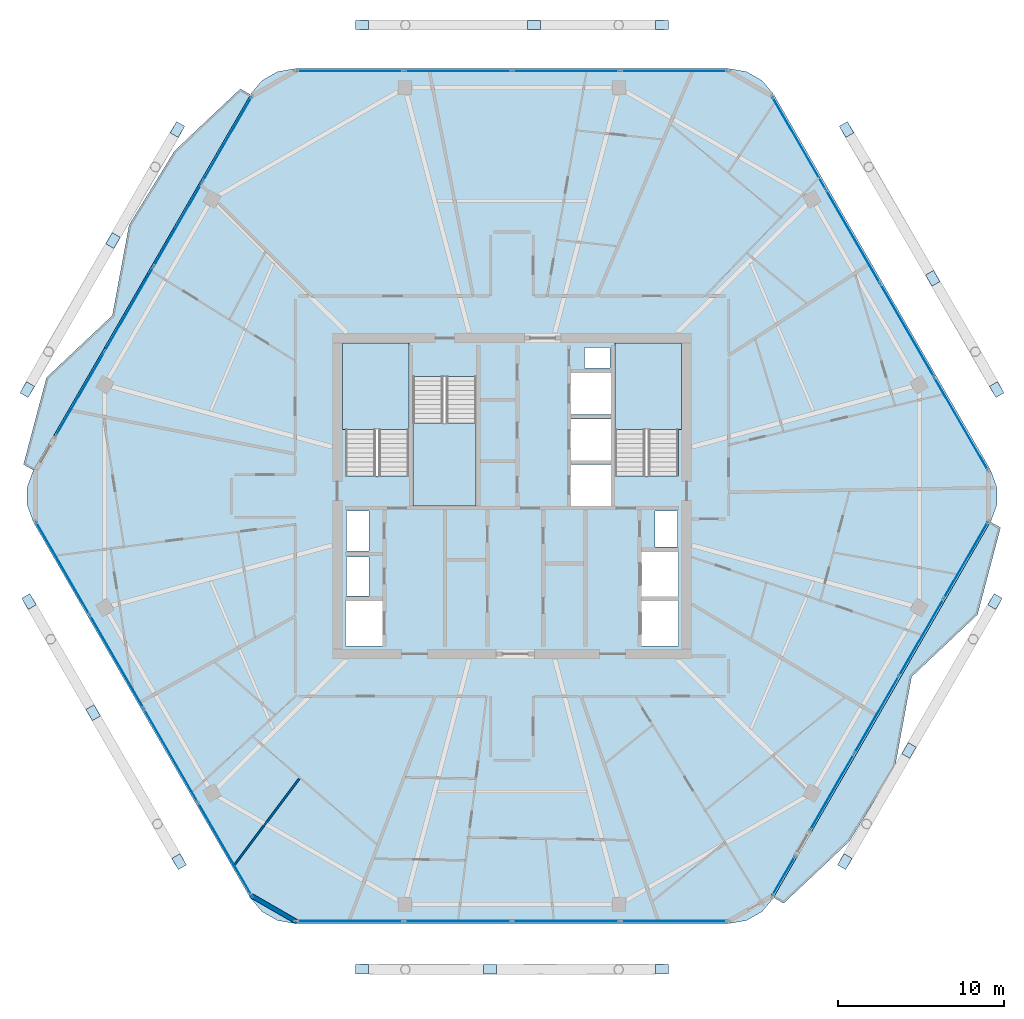
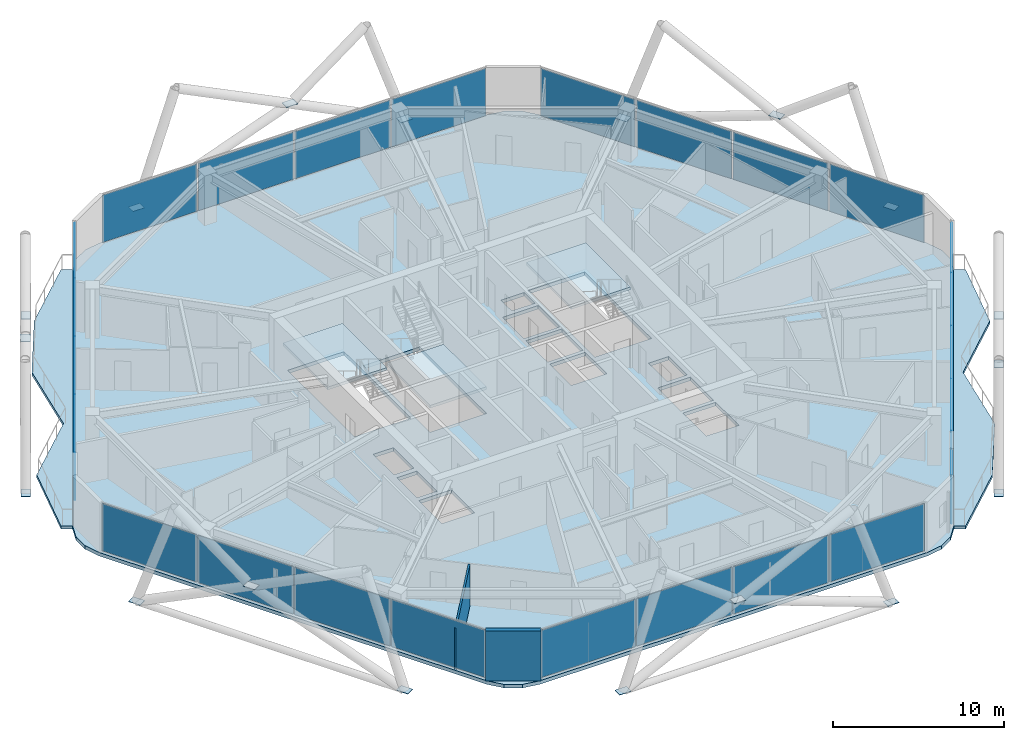
# One storey, part 19 of 29: 43 plates, 6 slabs, 2 walls, 10 elements without a shape of their own.
"""IFC4 building model written with IfcOpenShell, lengths in metres."""

import ifcopenshell
import ifcopenshell.guid

model = None  # the IFC model being written
_history = None  # IfcOwnerHistory: only IFC2X3 demands one
_inside = {}  # id of a spatial element -> (the spatial element, [elements in it])
_under = {}  # id of a project, library or spatial element -> (it, [spatial elements below it])
_declared = {}  # id of a project -> (the project, [libraries it declares])
_typed = {}  # id of a type object -> (the type object, [elements of that type])
_made_of = {}  # id of a material, layer set ... -> (it, [elements and type objects made of it])


def new_model(schema):
    """Start an empty IFC model of exactly this schema.

    Asked for "IFC4X3", IfcOpenShell would pick the latest addendum, in which some entities
    have other attributes; the version numbers below select the first issue.
    IFC2X3 requires an IfcOwnerHistory on every rooted entity: one is made here for all.
    """
    global model, _history
    if schema == "IFC4X3":
        model = ifcopenshell.file(schema_version=(4, 3, 0, 0))
    else:
        model = ifcopenshell.file(schema=schema)
    _inside.clear()
    _under.clear()
    _declared.clear()
    _typed.clear()
    _made_of.clear()
    _history = None
    if model.schema == "IFC2X3":
        org = make("IfcOrganization", Name="unknown")
        user = make(
            "IfcPersonAndOrganization",
            ThePerson=make("IfcPerson", FamilyName="unknown"),
            TheOrganization=org,
        )
        app = make(
            "IfcApplication",
            ApplicationDeveloper=org,
            Version="unknown",
            ApplicationFullName="unknown",
            ApplicationIdentifier="unknown",
        )
        _history = make(
            "IfcOwnerHistory",
            OwningUser=user,
            OwningApplication=app,
            ChangeAction="ADDED",
            CreationDate=0,
        )
    return model


def make(cls, **values):
    """One entity of the class cls with the attributes given. An attribute that is None is left unset."""
    return model.create_entity(
        cls, **{name: value for name, value in values.items() if value is not None}
    )


def rooted(cls, **values):
    """An entity with a GlobalId (a new one), such as an element, a storey or a relation."""
    return make(cls, GlobalId=ifcopenshell.guid.new(), OwnerHistory=_history, **values)


def si_unit(unit_type, name, prefix=None):
    """IfcSIUnit, for example si_unit("LENGTHUNIT", "METRE", prefix="MILLI")."""
    return make("IfcSIUnit", UnitType=unit_type, Prefix=prefix, Name=name)


def assignment(units):
    """IfcUnitAssignment: the units of a project."""
    return None if units is None else make("IfcUnitAssignment", Units=units)


def point(xyz):
    """IfcCartesianPoint."""
    return None if xyz is None else make("IfcCartesianPoint", Coordinates=xyz)


def direction(xyz):
    """IfcDirection."""
    return None if xyz is None else make("IfcDirection", DirectionRatios=xyz)


def frame(location, z_axis=None, x_axis=None):
    """IfcAxis2Placement3D, a coordinate frame: its origin and axes. An axis left out is left unset."""
    return make(
        "IfcAxis2Placement3D",
        Location=point(location),
        Axis=direction(z_axis),
        RefDirection=direction(x_axis),
    )


def frame_2d(location, x_axis=None):
    """IfcAxis2Placement2D, a coordinate frame in the plane: its origin and x axis."""
    return make(
        "IfcAxis2Placement2D", Location=point(location), RefDirection=direction(x_axis)
    )


def origin():
    """The frame at (0, 0, 0) with its axes left unset."""
    return frame((0.0, 0.0, 0.0))


def origin_2d():
    """The frame at (0, 0) in the plane with its x axis left unset."""
    return frame_2d((0.0, 0.0))


def place(relative_to, where):
    """IfcLocalPlacement: puts the frame where relative to a parent placement (None: the world)."""
    return make(
        "IfcLocalPlacement", PlacementRelTo=relative_to, RelativePlacement=where
    )


def context(
    kind, dimensions, precision=None, world=None, true_north=None, identifier=None
):
    """IfcGeometricRepresentationContext, for example the 3D "Model" context."""
    return make(
        "IfcGeometricRepresentationContext",
        ContextIdentifier=identifier,
        ContextType=kind,
        CoordinateSpaceDimension=dimensions,
        Precision=precision,
        WorldCoordinateSystem=world,
        TrueNorth=true_north,
    )


def subcontext(parent, identifier, kind, view, scale=None):
    """IfcGeometricRepresentationSubContext, for example "Body" below "Model"."""
    return make(
        "IfcGeometricRepresentationSubContext",
        ContextIdentifier=identifier,
        ContextType=kind,
        ParentContext=parent,
        TargetScale=scale,
        TargetView=view,
    )


def project(units=None, contexts=None):
    """IfcProject with its units and contexts."""
    return rooted(
        "IfcProject",
        Name="project",
        RepresentationContexts=contexts,
        UnitsInContext=assignment(units),
    )


def spatial(cls, under=None, at=None, **own):
    """A site, building, storey or space (cls), placed at a placement, below another one or the project."""
    s = rooted(cls, ObjectPlacement=at, **own)
    if under is not None:
        _under.setdefault(under.id(), (under, []))[1].append(s)
    return s


def polyline(points):
    """IfcPolyline through the points."""
    return make("IfcPolyline", Points=[point(p) for p in points])


def profile(cls, at=None, kind="AREA", **sizes):
    """A parametric profile (cls). Its sizes go by their IFC names, for example OverallWidth=200.0."""
    return make(cls, ProfileType=kind, Position=at, **sizes)


def rectangle(**sizes):
    """IfcRectangleProfileDef."""
    return profile("IfcRectangleProfileDef", **sizes)


def outline(outer, holes=None, kind="AREA"):
    """IfcArbitraryClosedProfileDef: a profile drawn as a closed curve; with holes, ...WithVoids."""
    if holes is None:
        return make("IfcArbitraryClosedProfileDef", ProfileType=kind, OuterCurve=outer)
    return make(
        "IfcArbitraryProfileDefWithVoids",
        ProfileType=kind,
        OuterCurve=outer,
        InnerCurves=holes,
    )


def extrude(swept, where, along, depth):
    """IfcExtrudedAreaSolid: the profile swept, set in the frame where, extruded along a direction by depth."""
    return make(
        "IfcExtrudedAreaSolid",
        SweptArea=swept,
        Position=where,
        ExtrudedDirection=direction(along),
        Depth=depth,
    )


def shape(context_of_items, identifier, shape_type, items):
    """IfcShapeRepresentation: the items that make up one representation, for example the "Body"."""
    return make(
        "IfcShapeRepresentation",
        ContextOfItems=context_of_items,
        RepresentationIdentifier=identifier,
        RepresentationType=shape_type,
        Items=items,
    )


def material(Name=None, Category=None):
    """IfcMaterial."""
    return make("IfcMaterial", Name=Name, Category=Category)


def layer(
    of_material, thickness, ventilated=None, Name=None, Category=None, Priority=None
):
    """IfcMaterialLayer: one layer of a wall or slab, of a material (None: an air gap)."""
    return make(
        "IfcMaterialLayer",
        Material=of_material,
        LayerThickness=thickness,
        IsVentilated=ventilated,
        Name=Name,
        Category=Category,
        Priority=Priority,
    )


def layer_set(layers, Name=None):
    """IfcMaterialLayerSet."""
    return make("IfcMaterialLayerSet", MaterialLayers=layers, LayerSetName=Name)


def made_of(thing, what):
    """Note that an element or type object is made of a material, layer set ...; save() writes the relation."""
    if what is not None:
        _made_of.setdefault(what.id(), (what, []))[1].append(thing)
    return thing


def type_object(cls, material=None, **own):
    """A type object (cls), such as IfcWallType, which elements share."""
    return made_of(rooted(cls, **own), material)


def element(
    cls,
    number,
    at=None,
    inside=None,
    cuts=None,
    type_object=None,
    material=None,
    context=None,
    identifier="Body",
    shape_type=None,
    held_by="IfcProductDefinitionShape",
    body=None,
    shapes=None,
    **own,
):
    """One element of the class cls, such as IfcWall. Its Tag is "e" and its number.

    at: its placement. inside: the storey or other place that contains it. cuts: it is an
    opening in that element (IfcRelVoidsElement). A single representation is given by context,
    identifier, shape_type and body (its items); several are given by shapes. held_by: the class
    of the entity that holds the representations. save() writes the other relations.
    """
    e = rooted(cls, Tag="e%d" % number, ObjectPlacement=at, **own)
    if body is not None:
        shapes = [shape(context, identifier, shape_type, body)]
    if shapes is not None:
        e.Representation = make(held_by, Representations=shapes)
    if inside is not None:
        _inside.setdefault(inside.id(), (inside, []))[1].append(e)
    if cuts is not None:
        rooted(
            "IfcRelVoidsElement", RelatingBuildingElement=cuts, RelatedOpeningElement=e
        )
    if type_object is not None:
        _typed.setdefault(type_object.id(), (type_object, []))[1].append(e)
    return made_of(e, material)


def aggregate(whole, parts):
    """IfcRelAggregates: a whole, such as a stair, and the parts it consists of."""
    return rooted("IfcRelAggregates", RelatingObject=whole, RelatedObjects=parts)


def save(model, path):
    """Write the relations noted so far, then the file.

    IfcRelAggregates (storeys below a building ...), IfcRelContainedInSpatialStructure (elements
    in a storey), IfcRelDefinesByType, IfcRelAssociatesMaterial and IfcRelDeclares: one each for
    every whole, place, type object, material and project.
    """
    for whole, parts in _under.values():
        aggregate(whole, parts)
    for where, things in _inside.values():
        rooted(
            "IfcRelContainedInSpatialStructure",
            RelatedElements=things,
            RelatingStructure=where,
        )
    for kind, things in _typed.values():
        rooted("IfcRelDefinesByType", RelatedObjects=things, RelatingType=kind)
    for what, things in _made_of.values():
        rooted("IfcRelAssociatesMaterial", RelatedObjects=things, RelatingMaterial=what)
    for by, libraries in _declared.values():
        rooted("IfcRelDeclares", RelatingContext=by, RelatedDefinitions=libraries)
    model.write(path)


model = new_model("IFC4")

# Units and contexts
model_context = context("Model", 3, precision=1e-05, world=origin(), true_north=direction((0.0, 1.0)))
body_context = subcontext(model_context, "Body", "Model", "MODEL_VIEW")
ifc_project = project(units=[si_unit("LENGTHUNIT", "METRE"), si_unit("AREAUNIT", "SQUARE_METRE"), si_unit("VOLUMEUNIT", "CUBIC_METRE"), si_unit("PLANEANGLEUNIT", "RADIAN"), si_unit("MASSUNIT", "GRAM", prefix="KILO")], contexts=[model_context])

# Site, building, storey
site_placement = place(None, origin())
site = spatial("IfcSite", under=ifc_project, at=site_placement, CompositionType="ELEMENT")
building_placement = place(site_placement, origin())
building = spatial("IfcBuilding", under=site, at=building_placement, Name="Zuhravey Tower", CompositionType="ELEMENT")
storey_placement = place(building_placement, frame((0.0, 0.0, 292.0)))
storey = spatial("IfcBuildingStorey", under=building, at=storey_placement, Name="L74", CompositionType="ELEMENT", Elevation=292.0)

# Plates
ifc_material_1 = material(Name="Steel SM460", Category="steel")
ifc_layer_1 = layer(ifc_material_1, 0.031982421875)
ifc_layer_set_1 = layer_set([ifc_layer_1], Name="Steel SM460")
plate_type_1 = type_object("IfcPlateType", Name="Exoskeleton Zone 3 Node Plate ND3", PredefinedType="SHEET", material=ifc_layer_set_1)
for number, where, z_axis, x_axis, name in (
    (1, (65.1474609375, 38.402587890625, -0.47998046875), (0.0, 0.0, 1.0), (-0.5, 0.866025403784, 0.0), "L74 Exoskeleton Node Gusset L74-01"),
    (2, (56.118408203125, 54.041015625, -0.47998046875), (0.0, 0.0, 1.0), (-0.5, 0.866025403784, 0.0), "L74 Exoskeleton Node Gusset L74-02"),
    (3, (45.029052734375, 60.323486328125, -0.47998046875), (0.0, 0.0, 1.0), (-1.0, 0.0, 0.0), "L74 Exoskeleton Node Gusset L74-03"),
    (4, (26.970947265625, 60.323486328125, -0.47998046875), (0.0, 0.0, 1.0), (-1.0, 0.0, 0.0), "L74 Exoskeleton Node Gusset L74-04"),
    (5, (15.881591796875, 54.041015625, -0.47998046875), (0.0, 0.0, 1.0), (-0.5, -0.866025403784, 0.0), "L74 Exoskeleton Node Gusset L74-05"),
    (6, (6.8525390625, 38.402587890625, -0.47998046875), (0.0, 0.0, 1.0), (-0.5, -0.866025403784, 0.0), "L74 Exoskeleton Node Gusset L74-06"),
    (7, (6.95654296875, 25.657470703125, -0.47998046875), (0.0, 0.0, 1.0), (0.5, -0.866025403784, 0.0), "L74 Exoskeleton Node Gusset L74-07"),
    (8, (15.985595703125, 10.018798828125, -0.47998046875), (0.0, 0.0, 1.0), (0.5, -0.866025403784, 0.0), "L74 Exoskeleton Node Gusset L74-08"),
    (9, (26.970947265625, 3.556396484375, -0.47998046875), (0.0, 0.0, 1.0), (1.0, 0.0, 0.0), "L74 Exoskeleton Node Gusset L74-09"),
    (10, (45.029052734375, 3.556396484375, -0.47998046875), (0.0, 0.0, 1.0), (1.0, 0.0, 0.0), "L74 Exoskeleton Node Gusset L74-10"),
    (11, (56.014404296875, 10.018798828125, -0.47998046875), (0.0, 0.0, 1.0), (0.5, 0.866025403784, 0.0), "L74 Exoskeleton Node Gusset L74-11"),
    (12, (65.04345703125, 25.657470703125, -0.47998046875), (0.0, 0.0, 1.0), (0.5, 0.866025403784, 0.0), "L74 Exoskeleton Node Gusset L74-12"),
    (13, (61.30126953125, 45.09423828125, 3.31982421875), (0.0, 0.0, 1.0), (-0.5, 0.866025403784, 0.0), "L74 Face 1 Diagrid X-Crossing Plate"),
    (14, (37.310791015625, 60.323486328125, 3.31982421875), (0.0, 0.0, 1.0), (-1.0, 0.0, 0.0), "L74 Face 2 Diagrid X-Crossing Plate"),
    (15, (12.009521484375, 47.364501953125, 3.31982421875), (0.0, 0.0, 1.0), (-0.5, -0.866025403784, 0.0), "L74 Face 3 Diagrid X-Crossing Plate"),
    (16, (10.815673828125, 18.973388671875, 3.31982421875), (0.0, 0.0, 1.0), (0.5, -0.866025403784, 0.0), "L74 Face 4 Diagrid X-Crossing Plate"),
    (17, (34.689208984375, 3.54150390625, 3.31982421875), (0.0, 0.0, 1.0), (1.0, 0.0, 0.0), "L74 Face 5 Diagrid X-Crossing Plate"),
    (18, (59.87353515625, 16.703125, 3.31982421875), (0.0, 0.0, 1.0), (0.5, 0.866025403784, 0.0), "L74 Face 6 Diagrid X-Crossing Plate"),
):
    element("IfcPlate", number, at=place(storey_placement, frame(where, z_axis=z_axis, x_axis=x_axis)), inside=storey, type_object=plate_type_1, Name=name, PredefinedType="SHEET", context=body_context, shape_type="SweptSolid", body=[
        extrude(rectangle(XDim=0.780029296875, YDim=0.56005859375, at=origin_2d()), origin(), (0.0, 0.0, 1.0), 0.031982421875),
    ])

# Slabs
ifc_material_2 = material(Name="Concrete C50/60", Category="concrete")
ifc_layer_2 = layer(ifc_material_2, 0.25)
ifc_layer_set_2 = layer_set([ifc_layer_2], Name="Concrete C50/60")
slab_type_1 = type_object("IfcSlabType", Name="Residential Acoustic Slab 250", PredefinedType="FLOOR", material=ifc_layer_set_2)
slab_1_placement = place(storey_placement, frame((0.0, 0.0, -0.25)))
element("IfcSlab", 19, at=slab_1_placement, inside=storey, type_object=slab_type_1, Name="L74 Floor Slab FS25", PredefinedType="FLOOR", context=body_context, shape_type="SweptSolid", body=[
    extrude(outline(polyline([(64.78515625, 30.449951171875), (65.1533203125, 31.461669921875), (65.1533203125, 32.538330078125), (64.78515625, 33.550048828125), (51.73486328125, 56.153564453125), (51.04296875, 56.978515625), (50.110595703125, 57.5166015625), (49.05029296875, 57.70361328125), (22.94970703125, 57.70361328125), (21.889404296875, 57.5166015625), (20.95703125, 56.978515625), (20.26513671875, 56.153564453125), (7.21484375, 33.550048828125), (6.8466796875, 32.538330078125), (6.8466796875, 31.461669921875), (7.21484375, 30.449951171875), (20.26513671875, 7.846435546875), (20.95703125, 7.021484375), (21.889404296875, 6.4833984375), (22.94970703125, 6.29638671875), (49.05029296875, 6.29638671875), (50.110595703125, 6.4833984375), (51.04296875, 7.021484375), (51.73486328125, 7.846435546875), (64.78515625, 30.449951171875)]), holes=[polyline([(29.800048828125, 33.20068359375), (29.800048828125, 41.0), (26.0, 41.0), (26.0, 33.20068359375), (29.800048828125, 33.20068359375)]), polyline([(46.0, 33.20068359375), (46.0, 41.0), (42.199951171875, 41.0), (42.199951171875, 33.20068359375), (46.0, 33.20068359375)]), polyline([(30.050048828125, 39.199462890625), (30.050048828125, 31.39990234375), (33.85009765625, 31.39990234375), (33.85009765625, 39.199462890625), (30.050048828125, 39.199462890625)]), polyline([(39.550048828125, 31.39990234375), (41.949951171875, 31.39990234375), (41.949951171875, 33.89990234375), (39.550048828125, 33.89990234375), (39.550048828125, 31.39990234375)]), polyline([(39.550048828125, 34.14990234375), (41.949951171875, 34.14990234375), (41.949951171875, 36.64990234375), (39.550048828125, 36.64990234375), (39.550048828125, 34.14990234375)]), polyline([(39.550048828125, 36.89990234375), (41.949951171875, 36.89990234375), (41.949951171875, 39.39990234375), (39.550048828125, 39.39990234375), (39.550048828125, 36.89990234375)]), polyline([(26.0, 23.0), (28.199951171875, 23.0), (28.199951171875, 25.699951171875), (26.0, 25.699951171875), (26.0, 23.0)]), polyline([(43.800048828125, 23.0), (46.0, 23.0), (46.0, 25.699951171875), (43.800048828125, 25.699951171875), (43.800048828125, 23.0)]), polyline([(43.800048828125, 25.949951171875), (46.0, 25.949951171875), (46.0, 28.64990234375), (43.800048828125, 28.64990234375), (43.800048828125, 25.949951171875)]), polyline([(26.050048828125, 26.0), (27.39990234375, 26.0), (27.39990234375, 28.35009765625), (26.050048828125, 28.35009765625), (26.050048828125, 26.0)]), polyline([(26.050048828125, 28.699951171875), (27.39990234375, 28.699951171875), (27.39990234375, 31.10009765625), (26.050048828125, 31.10009765625), (26.050048828125, 28.699951171875)]), polyline([(44.60009765625, 28.949951171875), (45.949951171875, 28.949951171875), (45.949951171875, 31.10009765625), (44.60009765625, 31.10009765625), (44.60009765625, 28.949951171875)]), polyline([(40.35009765625, 39.699951171875), (41.89990234375, 39.699951171875), (41.89990234375, 40.949951171875), (40.35009765625, 40.949951171875), (40.35009765625, 39.699951171875)])]), origin(), (0.0, 0.0, 1.0), 0.25),
])
ifc_material_3 = material(Name="Concrete C40/50", Category="concrete")
ifc_layer_3 = layer(ifc_material_3, 0.219970703125)
ifc_layer_set_3 = layer_set([ifc_layer_3], Name="Concrete C40/50")
slab_type_2 = type_object("IfcSlabType", Name="Sinusoidal Residential Wave Balcony 220", PredefinedType="FLOOR", material=ifc_layer_set_3)
slab_2_placement = place(storey_placement, frame((0.0, 0.0, -0.219970703125)))
element("IfcSlab", 20, at=slab_2_placement, inside=storey, type_object=slab_type_2, Name="L74 Face 3 Wave Balcony WB22", PredefinedType="FLOOR", context=body_context, shape_type="SweptSolid", body=[
    extrude(outline(polyline([(20.273681640625, 56.138671875), (7.232177734375, 33.550048828125), (6.6259765625, 33.89990234375), (8.010009765625, 39.12451171875), (11.971435546875, 42.861083984375), (12.977783203125, 48.3037109375), (15.7060546875, 52.752197265625), (19.66748046875, 56.488525390625), (20.273681640625, 56.138671875)])), origin(), (0.0, 0.0, 1.0), 0.219970703125),
])
slab_3_placement = place(storey_placement, frame((0.0, 0.0, -0.219970703125)))
element("IfcSlab", 21, at=slab_3_placement, inside=storey, type_object=slab_type_2, Name="L74 Face 6 Wave Balcony WB22", PredefinedType="FLOOR", context=body_context, shape_type="SweptSolid", body=[
    extrude(outline(polyline([(51.726318359375, 7.861328125), (64.767822265625, 30.449951171875), (65.3740234375, 30.10009765625), (63.989990234375, 24.87548828125), (60.028564453125, 21.138916015625), (59.022216796875, 15.6962890625), (56.2939453125, 11.247802734375), (52.33251953125, 7.511474609375), (51.726318359375, 7.861328125)])), origin(), (0.0, 0.0, 1.0), 0.219970703125),
])

# Stair, slab
stair_type = type_object("IfcStairType", Name="Housing Storey Stair Assembly 3800", PredefinedType="HALF_TURN_STAIR", material=ifc_material_3)
stair_1_placement = place(storey_placement, origin())
stair_1 = element("IfcStair", 22, at=stair_1_placement, inside=storey, type_object=stair_type, Name="L74 Core Exit Stair ST1", PredefinedType="HALF_TURN_STAIR")
ifc_layer_4 = layer(ifc_material_3, 0.199951171875)
ifc_layer_set_4 = layer_set([ifc_layer_4], Name="Concrete C40/50")
slab_type_3 = type_object("IfcSlabType", Name="Stair Landing Slab 200", PredefinedType="LANDING", material=ifc_layer_set_4)
slab_4_placement = place(storey_placement, frame((0.0, 0.0, 1.699951171875)))
slab_4 = element("IfcSlab", 23, at=slab_4_placement, type_object=slab_type_3, Name="ST1 landing 1", PredefinedType="LANDING", context=body_context, shape_type="SweptSolid", body=[
    extrude(outline(polyline([(29.800048828125, 36.0), (29.800048828125, 41.197998046875), (25.802001953125, 41.197998046875), (25.802001953125, 36.0), (29.800048828125, 36.0)])), origin(), (0.0, 0.0, 1.0), 0.199951171875),
])
aggregate(stair_1, [slab_4])

stair_2_placement = place(storey_placement, origin())
stair_2 = element("IfcStair", 24, at=stair_2_placement, inside=storey, type_object=stair_type, Name="L74 Core Exit Stair ST2", PredefinedType="HALF_TURN_STAIR")
slab_5_placement = place(storey_placement, frame((0.0, 0.0, 1.699951171875)))
slab_5 = element("IfcSlab", 25, at=slab_5_placement, type_object=slab_type_3, Name="ST2 landing 1", PredefinedType="LANDING", context=body_context, shape_type="SweptSolid", body=[
    extrude(outline(polyline([(46.197998046875, 36.0), (46.197998046875, 41.197998046875), (42.199951171875, 41.197998046875), (42.199951171875, 36.0), (46.197998046875, 36.0)])), origin(), (0.0, 0.0, 1.0), 0.199951171875),
])
aggregate(stair_2, [slab_5])

stair_3_placement = place(storey_placement, origin())
stair_3 = element("IfcStair", 26, at=stair_3_placement, inside=storey, type_object=stair_type, Name="L74 Core Exit Stair ST3", PredefinedType="HALF_TURN_STAIR")
slab_6_placement = place(storey_placement, frame((0.0, 0.0, 1.699951171875)))
slab_6 = element("IfcSlab", 27, at=slab_6_placement, type_object=slab_type_3, Name="ST3 landing 1", PredefinedType="LANDING", context=body_context, shape_type="SweptSolid", body=[
    extrude(outline(polyline([(30.050048828125, 36.39990234375), (30.050048828125, 31.39990234375), (33.85009765625, 31.39990234375), (33.85009765625, 36.39990234375), (30.050048828125, 36.39990234375)])), origin(), (0.0, 0.0, 1.0), 0.199951171875),
])
aggregate(stair_3, [slab_6])

# Curtain wall, plates
ifc_material_4 = material(Name="Thermally broken anodised aluminium", Category="aluminium")
curtain_wall_type = type_object("IfcCurtainWallType", Name="Zone 3-4 High-Rise Curtain Wall CW4", PredefinedType="NOTDEFINED", material=ifc_material_4)
curtain_wall_1_placement = place(storey_placement, origin())
curtain_wall_1 = element("IfcCurtainWall", 28, at=curtain_wall_1_placement, inside=storey, type_object=curtain_wall_type, Name="L74 CW4 CW-L74-F6-1", PredefinedType="NOTDEFINED")
ifc_material_5 = material(Name="Triple low-E insulated vision glass", Category="glass")
ifc_layer_5 = layer(ifc_material_5, 0.0419921875)
ifc_layer_set_5 = layer_set([ifc_layer_5], Name="Triple low-E insulated vision glass")
plate_type_2 = type_object("IfcPlateType", Name="Triple Low-E Vision Panel", PredefinedType="CURTAIN_PANEL", material=ifc_layer_set_5)
plate_1_placement = place(storey_placement, frame((63.2890625, 28.138916015625, 0.08984375), z_axis=(0.0, 0.0, 1.0), x_axis=(-0.499999657313, -0.866025601635, 0.0)))
plate_1 = element("IfcPlate", 29, at=plate_1_placement, type_object=plate_type_2, Name="CW4 panel 1.1", PredefinedType="CURTAIN_PANEL", context=body_context, shape_type="SweptSolid", body=[
    extrude(rectangle(XDim=5.243896484375, YDim=0.0419921875, at=origin_2d()), origin(), (0.0, 0.0, 1.0), 3.3701171875),
])
plate_2_placement = place(storey_placement, frame((60.611083984375, 23.500244140625, 0.08984375), z_axis=(0.0, 0.0, 1.0), x_axis=(-0.499999657313, -0.866025601635, 0.0)))
plate_2 = element("IfcPlate", 30, at=plate_2_placement, type_object=plate_type_2, Name="CW4 panel 2.1", PredefinedType="CURTAIN_PANEL", context=body_context, shape_type="SweptSolid", body=[
    extrude(rectangle(XDim=5.288818359375, YDim=0.0419921875, at=origin_2d()), origin(), (0.0, 0.0, 1.0), 3.3701171875),
])
plate_3_placement = place(storey_placement, frame((57.921630859375, 18.842041015625, 0.08984375), z_axis=(0.0, 0.0, 1.0), x_axis=(-0.499999657313, -0.866025601635, 0.0)))
plate_3 = element("IfcPlate", 31, at=plate_3_placement, type_object=plate_type_2, Name="CW4 panel 3.1", PredefinedType="CURTAIN_PANEL", context=body_context, shape_type="SweptSolid", body=[
    extrude(rectangle(XDim=5.288818359375, YDim=0.0419921875, at=origin_2d()), origin(), (0.0, 0.0, 1.0), 3.3701171875),
])
plate_4_placement = place(storey_placement, frame((55.243408203125, 14.203125, 0.08984375), z_axis=(0.0, 0.0, 1.0), x_axis=(-0.499999657313, -0.866025601635, 0.0)))
plate_4 = element("IfcPlate", 32, at=plate_4_placement, type_object=plate_type_2, Name="CW4 panel 4.1", PredefinedType="CURTAIN_PANEL", context=body_context, shape_type="SweptSolid", body=[
    extrude(rectangle(XDim=5.243896484375, YDim=0.0419921875, at=origin_2d()), origin(), (0.0, 0.0, 1.0), 3.3701171875),
])
aggregate(curtain_wall_1, [plate_1, plate_2, plate_3, plate_4])

# Curtain wall, plate
curtain_wall_2_placement = place(storey_placement, origin())
curtain_wall_2 = element("IfcCurtainWall", 33, at=curtain_wall_2_placement, inside=storey, type_object=curtain_wall_type, Name="L74 CW4 CW-L74-F6-2", PredefinedType="NOTDEFINED")
plate_5_placement = place(storey_placement, frame((52.3349609375, 9.165771484375, 0.08984375), z_axis=(0.0, 0.0, 1.0), x_axis=(-0.500004836322, -0.866022611515, 0.0)))
plate_5 = element("IfcPlate", 34, at=plate_5_placement, type_object=plate_type_2, Name="CW4 panel 1.1", PredefinedType="CURTAIN_PANEL", context=body_context, shape_type="SweptSolid", body=[
    extrude(rectangle(XDim=2.6298828125, YDim=0.0419921875, at=origin_2d()), origin(), (0.0, 0.0, 1.0), 3.3701171875),
])
aggregate(curtain_wall_2, [plate_5])

# Curtain wall, plates
curtain_wall_3_placement = place(storey_placement, origin())
curtain_wall_3 = element("IfcCurtainWall", 35, at=curtain_wall_3_placement, inside=storey, type_object=curtain_wall_type, Name="L74 CW4 CW-L74-F5-1", PredefinedType="NOTDEFINED")
plate_6_placement = place(storey_placement, frame((45.737060546875, 6.436279296875, 0.08984375), z_axis=(0.0, 0.0, 1.0), x_axis=(-1.0, 0.0, 0.0)))
plate_6 = element("IfcPlate", 36, at=plate_6_placement, type_object=plate_type_2, Name="CW4 panel 1.1", PredefinedType="CURTAIN_PANEL", context=body_context, shape_type="SweptSolid", body=[
    extrude(rectangle(XDim=6.371337890625, YDim=0.0419921875, at=origin_2d()), origin(), (0.0, 0.0, 1.0), 3.3701171875),
])
plate_7_placement = place(storey_placement, frame((39.253173828125, 6.436279296875, 0.08984375), z_axis=(0.0, 0.0, 1.0), x_axis=(-1.0, 0.0, 0.0)))
plate_7 = element("IfcPlate", 37, at=plate_7_placement, type_object=plate_type_2, Name="CW4 panel 2.1", PredefinedType="CURTAIN_PANEL", context=body_context, shape_type="SweptSolid", body=[
    extrude(rectangle(XDim=6.416259765625, YDim=0.0419921875, at=origin_2d()), origin(), (0.0, 0.0, 1.0), 3.3701171875),
])
plate_8_placement = place(storey_placement, frame((32.746826171875, 6.436279296875, 0.08984375), z_axis=(0.0, 0.0, 1.0), x_axis=(-1.0, 0.0, 0.0)))
plate_8 = element("IfcPlate", 38, at=plate_8_placement, type_object=plate_type_2, Name="CW4 panel 3.1", PredefinedType="CURTAIN_PANEL", context=body_context, shape_type="SweptSolid", body=[
    extrude(rectangle(XDim=6.416259765625, YDim=0.0419921875, at=origin_2d()), origin(), (0.0, 0.0, 1.0), 3.3701171875),
])
plate_9_placement = place(storey_placement, frame((26.262939453125, 6.436279296875, 0.08984375), z_axis=(0.0, 0.0, 1.0), x_axis=(-1.0, 0.0, 0.0)))
plate_9 = element("IfcPlate", 39, at=plate_9_placement, type_object=plate_type_2, Name="CW4 panel 4.1", PredefinedType="CURTAIN_PANEL", context=body_context, shape_type="SweptSolid", body=[
    extrude(rectangle(XDim=6.371337890625, YDim=0.0419921875, at=origin_2d()), origin(), (0.0, 0.0, 1.0), 3.3701171875),
])
aggregate(curtain_wall_3, [plate_6, plate_7, plate_8, plate_9])

curtain_wall_4_placement = place(storey_placement, origin())
curtain_wall_4 = element("IfcCurtainWall", 40, at=curtain_wall_4_placement, inside=storey, type_object=curtain_wall_type, Name="L74 CW4 CW-L74-F4-1", PredefinedType="NOTDEFINED")
plate_10_placement = place(storey_placement, frame((18.729736328125, 10.78564453125, 0.08984375), z_axis=(0.0, 0.0, 1.0), x_axis=(-0.500000957414, 0.866024851021, 0.0)))
plate_10 = element("IfcPlate", 41, at=plate_10_placement, type_object=plate_type_2, Name="CW4 panel 1.1", PredefinedType="CURTAIN_PANEL", context=body_context, shape_type="SweptSolid", body=[
    extrude(rectangle(XDim=6.371337890625, YDim=0.0419921875, at=origin_2d()), origin(), (0.0, 0.0, 1.0), 3.3701171875),
])
plate_11_placement = place(storey_placement, frame((15.48779296875, 16.40087890625, 0.08984375), z_axis=(0.0, 0.0, 1.0), x_axis=(-0.500000957414, 0.866024851021, 0.0)))
plate_11 = element("IfcPlate", 42, at=plate_11_placement, type_object=plate_type_2, Name="CW4 panel 2.1", PredefinedType="CURTAIN_PANEL", context=body_context, shape_type="SweptSolid", body=[
    extrude(rectangle(XDim=6.416259765625, YDim=0.0419921875, at=origin_2d()), origin(), (0.0, 0.0, 1.0), 3.3701171875),
])
plate_12_placement = place(storey_placement, frame((12.234619140625, 22.03564453125, 0.08984375), z_axis=(0.0, 0.0, 1.0), x_axis=(-0.500000957414, 0.866024851021, 0.0)))
plate_12 = element("IfcPlate", 43, at=plate_12_placement, type_object=plate_type_2, Name="CW4 panel 3.1", PredefinedType="CURTAIN_PANEL", context=body_context, shape_type="SweptSolid", body=[
    extrude(rectangle(XDim=6.416259765625, YDim=0.0419921875, at=origin_2d()), origin(), (0.0, 0.0, 1.0), 3.3701171875),
])
plate_13_placement = place(storey_placement, frame((8.99267578125, 27.650634765625, 0.08984375), z_axis=(0.0, 0.0, 1.0), x_axis=(-0.500000957414, 0.866024851021, 0.0)))
plate_13 = element("IfcPlate", 44, at=plate_13_placement, type_object=plate_type_2, Name="CW4 panel 4.1", PredefinedType="CURTAIN_PANEL", context=body_context, shape_type="SweptSolid", body=[
    extrude(rectangle(XDim=6.371337890625, YDim=0.0419921875, at=origin_2d()), origin(), (0.0, 0.0, 1.0), 3.3701171875),
])
aggregate(curtain_wall_4, [plate_10, plate_11, plate_12, plate_13])

curtain_wall_5_placement = place(storey_placement, origin())
curtain_wall_5 = element("IfcCurtainWall", 45, at=curtain_wall_5_placement, inside=storey, type_object=curtain_wall_type, Name="L74 CW4 CW-L74-F3-1", PredefinedType="NOTDEFINED")
plate_14_placement = place(storey_placement, frame((10.02294921875, 38.1337890625, 0.08984375), z_axis=(0.0, 0.0, 1.0), x_axis=(0.500000748615, 0.866024971571, 0.0)))
plate_14 = element("IfcPlate", 46, at=plate_14_placement, type_object=plate_type_2, Name="CW4 panel 1.1", PredefinedType="CURTAIN_PANEL", context=body_context, shape_type="SweptSolid", body=[
    extrude(rectangle(XDim=5.78271484375, YDim=0.0419921875, at=origin_2d()), origin(), (0.0, 0.0, 1.0), 3.3701171875),
])
plate_15_placement = place(storey_placement, frame((12.970458984375, 43.239013671875, 0.08984375), z_axis=(0.0, 0.0, 1.0), x_axis=(0.500000748615, 0.866024971571, 0.0)))
plate_15 = element("IfcPlate", 47, at=plate_15_placement, type_object=plate_type_2, Name="CW4 panel 2.1", PredefinedType="CURTAIN_PANEL", context=body_context, shape_type="SweptSolid", body=[
    extrude(rectangle(XDim=5.82763671875, YDim=0.0419921875, at=origin_2d()), origin(), (0.0, 0.0, 1.0), 3.3701171875),
])
plate_16_placement = place(storey_placement, frame((15.929443359375, 48.36376953125, 0.08984375), z_axis=(0.0, 0.0, 1.0), x_axis=(0.500000748615, 0.866024971571, 0.0)))
plate_16 = element("IfcPlate", 48, at=plate_16_placement, type_object=plate_type_2, Name="CW4 panel 3.1", PredefinedType="CURTAIN_PANEL", context=body_context, shape_type="SweptSolid", body=[
    extrude(rectangle(XDim=5.82763671875, YDim=0.0419921875, at=origin_2d()), origin(), (0.0, 0.0, 1.0), 3.3701171875),
])
plate_17_placement = place(storey_placement, frame((18.876953125, 53.46923828125, 0.08984375), z_axis=(0.0, 0.0, 1.0), x_axis=(0.500000748615, 0.866024971571, 0.0)))
plate_17 = element("IfcPlate", 49, at=plate_17_placement, type_object=plate_type_2, Name="CW4 panel 4.1", PredefinedType="CURTAIN_PANEL", context=body_context, shape_type="SweptSolid", body=[
    extrude(rectangle(XDim=5.78271484375, YDim=0.0419921875, at=origin_2d()), origin(), (0.0, 0.0, 1.0), 3.3701171875),
])
aggregate(curtain_wall_5, [plate_14, plate_15, plate_16, plate_17])

curtain_wall_6_placement = place(storey_placement, origin())
curtain_wall_6 = element("IfcCurtainWall", 50, at=curtain_wall_6_placement, inside=storey, type_object=curtain_wall_type, Name="L74 CW4 CW-L74-F2-1", PredefinedType="NOTDEFINED")
plate_18_placement = place(storey_placement, frame((26.262939453125, 57.563720703125, 0.08984375), z_axis=(0.0, 0.0, 1.0), x_axis=(1.0, 0.0, 0.0)))
plate_18 = element("IfcPlate", 51, at=plate_18_placement, type_object=plate_type_2, Name="CW4 panel 1.1", PredefinedType="CURTAIN_PANEL", context=body_context, shape_type="SweptSolid", body=[
    extrude(rectangle(XDim=6.371337890625, YDim=0.0419921875, at=origin_2d()), origin(), (0.0, 0.0, 1.0), 3.3701171875),
])
plate_19_placement = place(storey_placement, frame((32.746826171875, 57.563720703125, 0.08984375), z_axis=(0.0, 0.0, 1.0), x_axis=(1.0, 0.0, 0.0)))
plate_19 = element("IfcPlate", 52, at=plate_19_placement, type_object=plate_type_2, Name="CW4 panel 2.1", PredefinedType="CURTAIN_PANEL", context=body_context, shape_type="SweptSolid", body=[
    extrude(rectangle(XDim=6.416259765625, YDim=0.0419921875, at=origin_2d()), origin(), (0.0, 0.0, 1.0), 3.3701171875),
])
plate_20_placement = place(storey_placement, frame((39.253173828125, 57.563720703125, 0.08984375), z_axis=(0.0, 0.0, 1.0), x_axis=(1.0, 0.0, 0.0)))
plate_20 = element("IfcPlate", 53, at=plate_20_placement, type_object=plate_type_2, Name="CW4 panel 3.1", PredefinedType="CURTAIN_PANEL", context=body_context, shape_type="SweptSolid", body=[
    extrude(rectangle(XDim=6.416259765625, YDim=0.0419921875, at=origin_2d()), origin(), (0.0, 0.0, 1.0), 3.3701171875),
])
plate_21_placement = place(storey_placement, frame((45.737060546875, 57.563720703125, 0.08984375), z_axis=(0.0, 0.0, 1.0), x_axis=(1.0, 0.0, 0.0)))
plate_21 = element("IfcPlate", 54, at=plate_21_placement, type_object=plate_type_2, Name="CW4 panel 4.1", PredefinedType="CURTAIN_PANEL", context=body_context, shape_type="SweptSolid", body=[
    extrude(rectangle(XDim=6.371337890625, YDim=0.0419921875, at=origin_2d()), origin(), (0.0, 0.0, 1.0), 3.3701171875),
])
aggregate(curtain_wall_6, [plate_18, plate_19, plate_20, plate_21])

curtain_wall_7_placement = place(storey_placement, origin())
curtain_wall_7 = element("IfcCurtainWall", 55, at=curtain_wall_7_placement, inside=storey, type_object=curtain_wall_type, Name="L74 CW4 CW-L74-F1-1", PredefinedType="NOTDEFINED")
plate_22_placement = place(storey_placement, frame((53.270263671875, 53.21435546875, 0.08984375), z_axis=(0.0, 0.0, 1.0), x_axis=(0.500000957414, -0.866024851021, 0.0)))
plate_22 = element("IfcPlate", 56, at=plate_22_placement, type_object=plate_type_2, Name="CW4 panel 1.1", PredefinedType="CURTAIN_PANEL", context=body_context, shape_type="SweptSolid", body=[
    extrude(rectangle(XDim=6.371337890625, YDim=0.0419921875, at=origin_2d()), origin(), (0.0, 0.0, 1.0), 3.3701171875),
])
plate_23_placement = place(storey_placement, frame((56.51220703125, 47.59912109375, 0.08984375), z_axis=(0.0, 0.0, 1.0), x_axis=(0.500000957414, -0.866024851021, 0.0)))
plate_23 = element("IfcPlate", 57, at=plate_23_placement, type_object=plate_type_2, Name="CW4 panel 2.1", PredefinedType="CURTAIN_PANEL", context=body_context, shape_type="SweptSolid", body=[
    extrude(rectangle(XDim=6.416259765625, YDim=0.0419921875, at=origin_2d()), origin(), (0.0, 0.0, 1.0), 3.3701171875),
])
plate_24_placement = place(storey_placement, frame((59.765380859375, 41.96435546875, 0.08984375), z_axis=(0.0, 0.0, 1.0), x_axis=(0.500000957414, -0.866024851021, 0.0)))
plate_24 = element("IfcPlate", 58, at=plate_24_placement, type_object=plate_type_2, Name="CW4 panel 3.1", PredefinedType="CURTAIN_PANEL", context=body_context, shape_type="SweptSolid", body=[
    extrude(rectangle(XDim=6.416259765625, YDim=0.0419921875, at=origin_2d()), origin(), (0.0, 0.0, 1.0), 3.3701171875),
])
plate_25_placement = place(storey_placement, frame((63.00732421875, 36.349365234375, 0.08984375), z_axis=(0.0, 0.0, 1.0), x_axis=(0.500000957414, -0.866024851021, 0.0)))
plate_25 = element("IfcPlate", 59, at=plate_25_placement, type_object=plate_type_2, Name="CW4 panel 4.1", PredefinedType="CURTAIN_PANEL", context=body_context, shape_type="SweptSolid", body=[
    extrude(rectangle(XDim=6.371337890625, YDim=0.0419921875, at=origin_2d()), origin(), (0.0, 0.0, 1.0), 3.3701171875),
])
aggregate(curtain_wall_7, [plate_22, plate_23, plate_24, plate_25])

# Walls
ifc_material_6 = material(Name="Precast concrete C40/50", Category="concrete")
ifc_layer_6 = layer(ifc_material_6, 0.280029296875)
ifc_layer_set_6 = layer_set([ifc_layer_6], Name="Precast concrete C40/50")
wall_type_1 = type_object("IfcWallType", Name="Crown Architectural Wall 280", PredefinedType="SOLIDWALL", material=ifc_layer_set_6)
wall_1_placement = place(storey_placement, frame((23.069580078125, 6.388916015625, 0.0), z_axis=(0.0, 0.0, 1.0), x_axis=(-0.866028773314, 0.499994163758, 0.0)))
element("IfcWall", 60, at=wall_1_placement, inside=storey, type_object=wall_type_1, Name="L74 Rounded Corner Closure Wall EW28-04", PredefinedType="SOLIDWALL", context=body_context, shape_type="SweptSolid", body=[
    extrude(rectangle(XDim=3.21484375, YDim=0.280029296875, at=frame_2d((1.607421875, 0.0))), origin(), (0.0, 0.0, 1.0), 3.550048828125),
])
ifc_material_7 = material(Name="Gypsum metal-stud partition")
ifc_layer_7 = layer(ifc_material_7, 0.1201171875)
ifc_layer_set_7 = layer_set([ifc_layer_7], Name="Gypsum metal-stud partition")
wall_type_2 = type_object("IfcWallType", Name="Unit Internal Partition 120", PredefinedType="PARTITIONING", material=ifc_layer_set_7)
wall_2_placement = place(storey_placement, frame((23.21240234375, 15.010498046875, 0.0), z_axis=(0.0, 0.0, 1.0), x_axis=(-0.601359603613, -0.798978489787, 0.0)))
element("IfcWall", 61, at=wall_2_placement, inside=storey, type_object=wall_type_2, Name="L74 IW12 Partition 076", PredefinedType="PARTITIONING", context=body_context, shape_type="SweptSolid", body=[
    extrude(rectangle(XDim=6.54638671875, YDim=0.1201171875, at=frame_2d((3.273193359375, 0.0))), origin(), (0.0, 0.0, 1.0), 2.929931640625),
])

save(model, "model.ifc")
